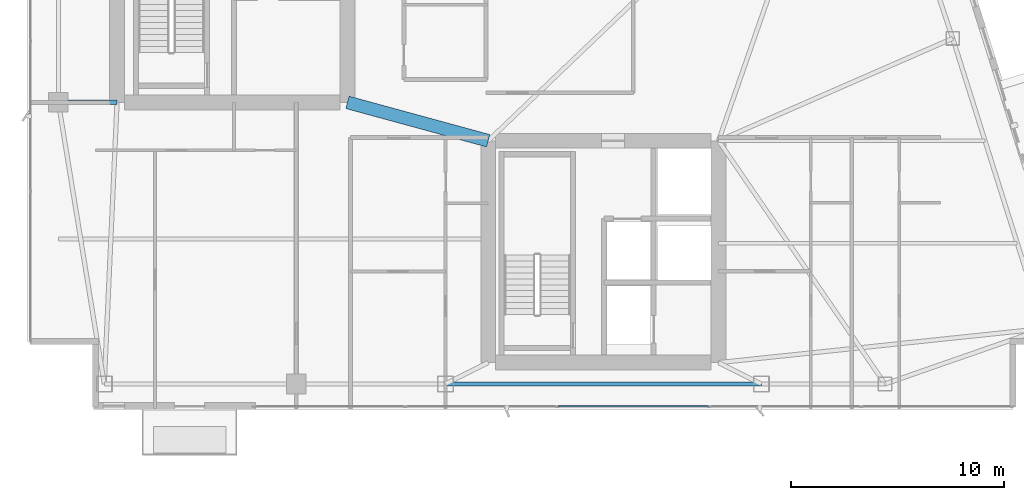
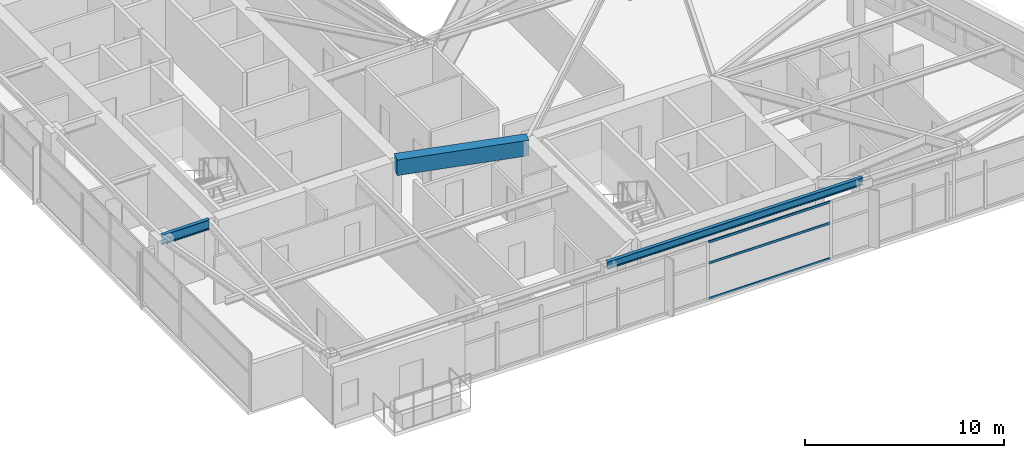
# One storey, part 7 of 27: 3 beams, 3 members, 1 element without a shape of its own.
"""IFC4 building model written with IfcOpenShell, lengths in metres."""

from ifc_helpers import new_model, si_unit, direction, frame, origin, origin_2d, place, context, subcontext, project, spatial, rectangle, hollow_rectangle, i_section, extrude, material, layer, layer_set, material_profile, profile_set, type_object, element, aggregate, save


model = new_model("IFC4")

# Units and contexts
model_context = context("Model", 3, precision=1e-05, world=origin(), true_north=direction((0.0, 1.0)))
body_context = subcontext(model_context, "Body", "Model", "MODEL_VIEW")
ifc_project = project(units=[si_unit("LENGTHUNIT", "METRE"), si_unit("AREAUNIT", "SQUARE_METRE"), si_unit("VOLUMEUNIT", "CUBIC_METRE"), si_unit("PLANEANGLEUNIT", "RADIAN"), si_unit("MASSUNIT", "GRAM", prefix="KILO")], contexts=[model_context])

# Site, building, storey
site_placement = place(None, origin())
site = spatial("IfcSite", under=ifc_project, at=site_placement, CompositionType="ELEMENT")
building_placement = place(site_placement, origin())
building = spatial("IfcBuilding", under=site, at=building_placement, Name="Calvorn Quay Hotel", CompositionType="ELEMENT")
storey_placement = place(building_placement, frame((0.0, 0.0, 230.699951171875)))
storey = spatial("IfcBuildingStorey", under=building, at=storey_placement, Name="L57", CompositionType="ELEMENT", Elevation=230.699951171875)

# Beams
ifc_material_1 = material(Name="Steel Q355B", Category="steel")
ifc_material_profile_1 = material_profile(ifc_material_1, i_section(OverallWidth=0.199951171875, OverallDepth=0.60009765625, WebThickness=0.010986328125, FlangeThickness=0.01708984375, FilletRadius=0.01806640625, at=origin_2d()), Name="HN600x200x11x17")
ifc_profile_set_1 = profile_set([ifc_material_profile_1], Name="Steel Q355B")
beam_type_1 = type_object("IfcBeamType", Name="BM-GIRD-TYP", PredefinedType="BEAM", material=ifc_profile_set_1)
beam_1_placement = place(storey_placement, frame((1.449951171875, 16.800048828125, 3.219970703125), z_axis=(1.0, 0.0, 0.0), x_axis=(0.0, 1.0, 0.0)))
element("IfcBeam", 1, at=beam_1_placement, inside=storey, type_object=beam_type_1, Name="Beam BG-L57-W1", PredefinedType="BEAM", context=body_context, shape_type="SweptSolid", body=[
    extrude(i_section(OverallWidth=0.199951171875, OverallDepth=0.60009765625, WebThickness=0.010986328125, FlangeThickness=0.01708984375, FilletRadius=0.01806640625, at=origin_2d()), origin(), (0.0, 0.0, 1.0), 2.75),
])
ifc_material_2 = material(Name="Concrete C45", Category="concrete")
ifc_material_profile_2 = material_profile(ifc_material_2, rectangle(XDim=0.60009765625, YDim=0.949951171875, at=origin_2d()), Name="RCB600x950")
ifc_profile_set_2 = profile_set([ifc_material_profile_2], Name="Concrete C45")
beam_type_2 = type_object("IfcBeamType", Name="BM-RC-LINK-600x950", PredefinedType="BEAM", material=ifc_profile_set_2)
beam_2_placement = place(storey_placement, frame((15.0, 16.800048828125, 3.045166015625), z_axis=(0.964762997686, -0.263120425462, 0.0), x_axis=(0.263120425462, 0.964762997686, 0.0)))
element("IfcBeam", 2, at=beam_2_placement, inside=storey, type_object=beam_type_2, Name="Beam BCL-L57-01", PredefinedType="BEAM", context=body_context, shape_type="SweptSolid", body=[
    extrude(rectangle(XDim=0.60009765625, YDim=0.949951171875, at=origin_2d()), origin(), (0.0, 0.0, 1.0), 6.841064453125),
])
ifc_material_3 = material(Name="Steel Q355B", Category="steel")
ifc_material_profile_3 = material_profile(ifc_material_3, i_section(OverallWidth=0.199951171875, OverallDepth=0.449951171875, WebThickness=0.009033203125, FlangeThickness=0.013916015625, FilletRadius=0.01611328125, at=origin_2d()), Name="HN450x200x9x14")
ifc_profile_set_3 = profile_set([ifc_material_profile_3], Name="Steel Q355B")
beam_type_3 = type_object("IfcBeamType", Name="BM-SPANDREL-Z3", PredefinedType="SPANDREL", material=ifc_profile_set_3)
beam_3_placement = place(storey_placement, frame((19.60009765625, 3.60009765625, 3.295166015625), z_axis=(1.0, 0.0, 0.0), x_axis=(0.0, 1.0, 0.0)))
element("IfcBeam", 3, at=beam_3_placement, inside=storey, type_object=beam_type_3, Name="Beam BSP-L57-S3", PredefinedType="SPANDREL", context=body_context, shape_type="SweptSolid", body=[
    extrude(i_section(OverallWidth=0.199951171875, OverallDepth=0.449951171875, WebThickness=0.009033203125, FlangeThickness=0.013916015625, FilletRadius=0.01611328125, at=origin_2d()), origin(), (0.0, 0.0, 1.0), 14.7998046875),
])

# Curtain wall, members
ifc_material_4 = material(Name="Champagne Bronze Anodised Aluminium and Low-E Glass", Category="aluminium")
ifc_layer = layer(ifc_material_4, 0.219970703125)
ifc_layer_set = layer_set([ifc_layer], Name="CW-SYS-Z3")
curtain_wall_type = type_object("IfcCurtainWallType", Name="CW-SYS-Z3", PredefinedType="NOTDEFINED", material=ifc_layer_set)
curtain_wall_placement = place(storey_placement, origin())
curtain_wall = element("IfcCurtainWall", 4, at=curtain_wall_placement, inside=storey, type_object=curtain_wall_type, Name="Tower South Waterfront Curtain Wall (L57)", PredefinedType="NOTDEFINED")
ifc_material_5 = material(Name="Champagne Bronze Anodised Aluminium 6063-T6", Category="aluminium")
ifc_material_profile_4 = material_profile(ifc_material_5, hollow_rectangle(XDim=0.05810546875, YDim=0.139892578125, WallThickness=0.003173828125, at=origin_2d()), Name="ALU-T140x58x3.2")
ifc_profile_set_4 = profile_set([ifc_material_profile_4], Name="Champagne Bronze Anodised Aluminium 6063-T6")
member_type = type_object("IfcMemberType", Name="CW-SYS-Z3-TRN", PredefinedType="USERDEFINED", material=ifc_profile_set_4)
member_1_placement = place(storey_placement, frame((24.8701171875, 2.550048828125, 0.030029296875), z_axis=(1.0, 0.0, 0.0), x_axis=(0.0, 1.0, 0.0)))
member_1 = element("IfcMember", 5, at=member_1_placement, type_object=member_type, Name="CW-L57-S transom 3.1", ObjectType="TRANSOM", PredefinedType="USERDEFINED", context=body_context, shape_type="SweptSolid", body=[
    extrude(hollow_rectangle(XDim=0.05810546875, YDim=0.139892578125, WallThickness=0.003173828125, at=origin_2d()), origin(), (0.0, 0.0, 1.0), 7.059814453125),
])
member_2_placement = place(storey_placement, frame((24.8701171875, 2.550048828125, 2.199951171875), z_axis=(1.0, 0.0, 0.0), x_axis=(0.0, 1.0, 0.0)))
member_2 = element("IfcMember", 6, at=member_2_placement, type_object=member_type, Name="CW-L57-S transom 3.2", ObjectType="TRANSOM", PredefinedType="USERDEFINED", context=body_context, shape_type="SweptSolid", body=[
    extrude(hollow_rectangle(XDim=0.05810546875, YDim=0.139892578125, WallThickness=0.003173828125, at=origin_2d()), origin(), (0.0, 0.0, 1.0), 7.059814453125),
])
member_3_placement = place(storey_placement, frame((24.8701171875, 2.550048828125, 3.489990234375), z_axis=(1.0, 0.0, 0.0), x_axis=(0.0, 1.0, 0.0)))
member_3 = element("IfcMember", 7, at=member_3_placement, type_object=member_type, Name="CW-L57-S transom 3.3", ObjectType="TRANSOM", PredefinedType="USERDEFINED", context=body_context, shape_type="SweptSolid", body=[
    extrude(hollow_rectangle(XDim=0.05810546875, YDim=0.139892578125, WallThickness=0.003173828125, at=origin_2d()), origin(), (0.0, 0.0, 1.0), 7.059814453125),
])
aggregate(curtain_wall, [member_1, member_2, member_3])

save(model, "model.ifc")
